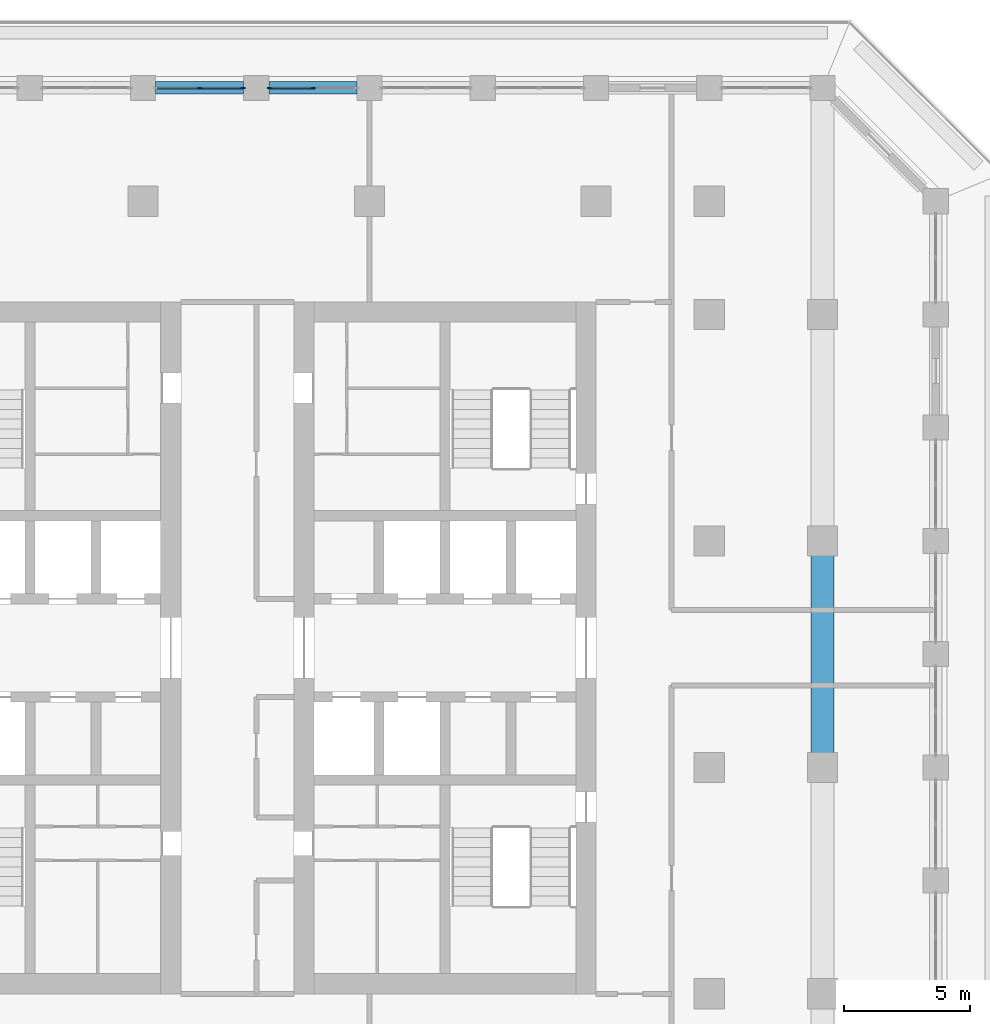
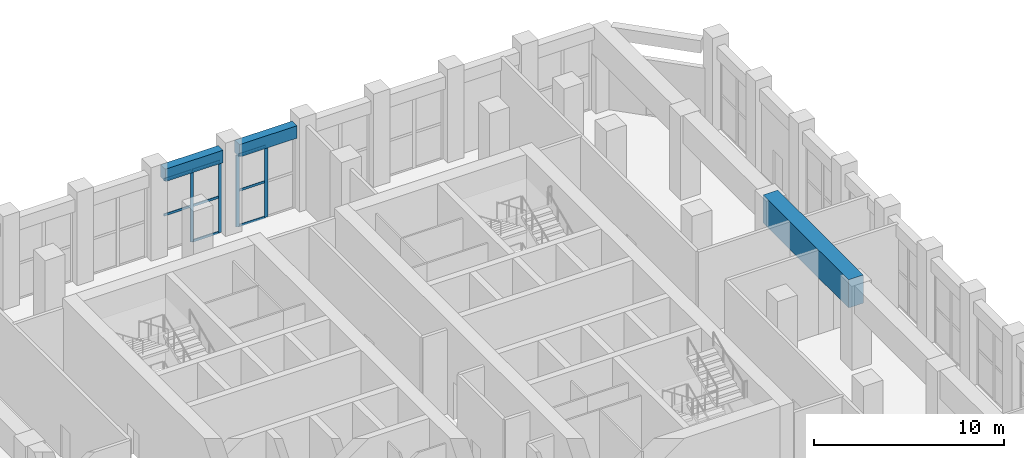
# One storey, part 7 of 25: 12 members, 3 beams, 2 elements without a shape of their own.
"""IFC4 building model written with IfcOpenShell, lengths in metres."""

import ifcopenshell
import ifcopenshell.guid

model = None  # the IFC model being written
_history = None  # IfcOwnerHistory: only IFC2X3 demands one
_inside = {}  # id of a spatial element -> (the spatial element, [elements in it])
_under = {}  # id of a project, library or spatial element -> (it, [spatial elements below it])
_declared = {}  # id of a project -> (the project, [libraries it declares])
_typed = {}  # id of a type object -> (the type object, [elements of that type])
_made_of = {}  # id of a material, layer set ... -> (it, [elements and type objects made of it])


def new_model(schema):
    """Start an empty IFC model of exactly this schema.

    Asked for "IFC4X3", IfcOpenShell would pick the latest addendum, in which some entities
    have other attributes; the version numbers below select the first issue.
    IFC2X3 requires an IfcOwnerHistory on every rooted entity: one is made here for all.
    """
    global model, _history
    if schema == "IFC4X3":
        model = ifcopenshell.file(schema_version=(4, 3, 0, 0))
    else:
        model = ifcopenshell.file(schema=schema)
    _inside.clear()
    _under.clear()
    _declared.clear()
    _typed.clear()
    _made_of.clear()
    _history = None
    if model.schema == "IFC2X3":
        org = make("IfcOrganization", Name="unknown")
        user = make(
            "IfcPersonAndOrganization",
            ThePerson=make("IfcPerson", FamilyName="unknown"),
            TheOrganization=org,
        )
        app = make(
            "IfcApplication",
            ApplicationDeveloper=org,
            Version="unknown",
            ApplicationFullName="unknown",
            ApplicationIdentifier="unknown",
        )
        _history = make(
            "IfcOwnerHistory",
            OwningUser=user,
            OwningApplication=app,
            ChangeAction="ADDED",
            CreationDate=0,
        )
    return model


def make(cls, **values):
    """One entity of the class cls with the attributes given. An attribute that is None is left unset."""
    return model.create_entity(
        cls, **{name: value for name, value in values.items() if value is not None}
    )


def rooted(cls, **values):
    """An entity with a GlobalId (a new one), such as an element, a storey or a relation."""
    return make(cls, GlobalId=ifcopenshell.guid.new(), OwnerHistory=_history, **values)


def si_unit(unit_type, name, prefix=None):
    """IfcSIUnit, for example si_unit("LENGTHUNIT", "METRE", prefix="MILLI")."""
    return make("IfcSIUnit", UnitType=unit_type, Prefix=prefix, Name=name)


def assignment(units):
    """IfcUnitAssignment: the units of a project."""
    return None if units is None else make("IfcUnitAssignment", Units=units)


def point(xyz):
    """IfcCartesianPoint."""
    return None if xyz is None else make("IfcCartesianPoint", Coordinates=xyz)


def direction(xyz):
    """IfcDirection."""
    return None if xyz is None else make("IfcDirection", DirectionRatios=xyz)


def frame(location, z_axis=None, x_axis=None):
    """IfcAxis2Placement3D, a coordinate frame: its origin and axes. An axis left out is left unset."""
    return make(
        "IfcAxis2Placement3D",
        Location=point(location),
        Axis=direction(z_axis),
        RefDirection=direction(x_axis),
    )


def frame_2d(location, x_axis=None):
    """IfcAxis2Placement2D, a coordinate frame in the plane: its origin and x axis."""
    return make(
        "IfcAxis2Placement2D", Location=point(location), RefDirection=direction(x_axis)
    )


def origin():
    """The frame at (0, 0, 0) with its axes left unset."""
    return frame((0.0, 0.0, 0.0))


def origin_2d():
    """The frame at (0, 0) in the plane with its x axis left unset."""
    return frame_2d((0.0, 0.0))


def place(relative_to, where):
    """IfcLocalPlacement: puts the frame where relative to a parent placement (None: the world)."""
    return make(
        "IfcLocalPlacement", PlacementRelTo=relative_to, RelativePlacement=where
    )


def context(
    kind, dimensions, precision=None, world=None, true_north=None, identifier=None
):
    """IfcGeometricRepresentationContext, for example the 3D "Model" context."""
    return make(
        "IfcGeometricRepresentationContext",
        ContextIdentifier=identifier,
        ContextType=kind,
        CoordinateSpaceDimension=dimensions,
        Precision=precision,
        WorldCoordinateSystem=world,
        TrueNorth=true_north,
    )


def subcontext(parent, identifier, kind, view, scale=None):
    """IfcGeometricRepresentationSubContext, for example "Body" below "Model"."""
    return make(
        "IfcGeometricRepresentationSubContext",
        ContextIdentifier=identifier,
        ContextType=kind,
        ParentContext=parent,
        TargetScale=scale,
        TargetView=view,
    )


def project(units=None, contexts=None):
    """IfcProject with its units and contexts."""
    return rooted(
        "IfcProject",
        Name="project",
        RepresentationContexts=contexts,
        UnitsInContext=assignment(units),
    )


def spatial(cls, under=None, at=None, **own):
    """A site, building, storey or space (cls), placed at a placement, below another one or the project."""
    s = rooted(cls, ObjectPlacement=at, **own)
    if under is not None:
        _under.setdefault(under.id(), (under, []))[1].append(s)
    return s


def profile(cls, at=None, kind="AREA", **sizes):
    """A parametric profile (cls). Its sizes go by their IFC names, for example OverallWidth=200.0."""
    return make(cls, ProfileType=kind, Position=at, **sizes)


def rectangle(**sizes):
    """IfcRectangleProfileDef."""
    return profile("IfcRectangleProfileDef", **sizes)


def extrude(swept, where, along, depth):
    """IfcExtrudedAreaSolid: the profile swept, set in the frame where, extruded along a direction by depth."""
    return make(
        "IfcExtrudedAreaSolid",
        SweptArea=swept,
        Position=where,
        ExtrudedDirection=direction(along),
        Depth=depth,
    )


def shape(context_of_items, identifier, shape_type, items):
    """IfcShapeRepresentation: the items that make up one representation, for example the "Body"."""
    return make(
        "IfcShapeRepresentation",
        ContextOfItems=context_of_items,
        RepresentationIdentifier=identifier,
        RepresentationType=shape_type,
        Items=items,
    )


def material(Name=None, Category=None):
    """IfcMaterial."""
    return make("IfcMaterial", Name=Name, Category=Category)


def material_profile(
    of_material, cross_section, Name=None, Category=None, Priority=None
):
    """IfcMaterialProfile: a cross section and its material."""
    return make(
        "IfcMaterialProfile",
        Name=Name,
        Material=of_material,
        Profile=cross_section,
        Priority=Priority,
        Category=Category,
    )


def profile_set(profiles, Name=None, composite=None):
    """IfcMaterialProfileSet."""
    return make(
        "IfcMaterialProfileSet",
        Name=Name,
        MaterialProfiles=profiles,
        CompositeProfile=composite,
    )


def made_of(thing, what):
    """Note that an element or type object is made of a material, layer set ...; save() writes the relation."""
    if what is not None:
        _made_of.setdefault(what.id(), (what, []))[1].append(thing)
    return thing


def type_object(cls, material=None, **own):
    """A type object (cls), such as IfcWallType, which elements share."""
    return made_of(rooted(cls, **own), material)


def element(
    cls,
    number,
    at=None,
    inside=None,
    cuts=None,
    type_object=None,
    material=None,
    context=None,
    identifier="Body",
    shape_type=None,
    held_by="IfcProductDefinitionShape",
    body=None,
    shapes=None,
    **own,
):
    """One element of the class cls, such as IfcWall. Its Tag is "e" and its number.

    at: its placement. inside: the storey or other place that contains it. cuts: it is an
    opening in that element (IfcRelVoidsElement). A single representation is given by context,
    identifier, shape_type and body (its items); several are given by shapes. held_by: the class
    of the entity that holds the representations. save() writes the other relations.
    """
    e = rooted(cls, Tag="e%d" % number, ObjectPlacement=at, **own)
    if body is not None:
        shapes = [shape(context, identifier, shape_type, body)]
    if shapes is not None:
        e.Representation = make(held_by, Representations=shapes)
    if inside is not None:
        _inside.setdefault(inside.id(), (inside, []))[1].append(e)
    if cuts is not None:
        rooted(
            "IfcRelVoidsElement", RelatingBuildingElement=cuts, RelatedOpeningElement=e
        )
    if type_object is not None:
        _typed.setdefault(type_object.id(), (type_object, []))[1].append(e)
    return made_of(e, material)


def aggregate(whole, parts):
    """IfcRelAggregates: a whole, such as a stair, and the parts it consists of."""
    return rooted("IfcRelAggregates", RelatingObject=whole, RelatedObjects=parts)


def save(model, path):
    """Write the relations noted so far, then the file.

    IfcRelAggregates (storeys below a building ...), IfcRelContainedInSpatialStructure (elements
    in a storey), IfcRelDefinesByType, IfcRelAssociatesMaterial and IfcRelDeclares: one each for
    every whole, place, type object, material and project.
    """
    for whole, parts in _under.values():
        aggregate(whole, parts)
    for where, things in _inside.values():
        rooted(
            "IfcRelContainedInSpatialStructure",
            RelatedElements=things,
            RelatingStructure=where,
        )
    for kind, things in _typed.values():
        rooted("IfcRelDefinesByType", RelatedObjects=things, RelatingType=kind)
    for what, things in _made_of.values():
        rooted("IfcRelAssociatesMaterial", RelatedObjects=things, RelatingMaterial=what)
    for by, libraries in _declared.values():
        rooted("IfcRelDeclares", RelatingContext=by, RelatedDefinitions=libraries)
    model.write(path)


model = new_model("IFC4")

# Units and contexts
model_context = context("Model", 3, precision=1e-05, world=origin(), true_north=direction((0.0, 1.0)))
body_context = subcontext(model_context, "Body", "Model", "MODEL_VIEW")
ifc_project = project(units=[si_unit("LENGTHUNIT", "METRE"), si_unit("AREAUNIT", "SQUARE_METRE"), si_unit("VOLUMEUNIT", "CUBIC_METRE"), si_unit("PLANEANGLEUNIT", "RADIAN"), si_unit("MASSUNIT", "GRAM", prefix="KILO")], contexts=[model_context])

# Site, building, storey
site_placement = place(None, origin())
site = spatial("IfcSite", under=ifc_project, at=site_placement, CompositionType="ELEMENT")
building_placement = place(site_placement, origin())
building = spatial("IfcBuilding", under=site, at=building_placement, Name="Corbel Stack Research Tower", CompositionType="ELEMENT")
storey_placement = place(building_placement, frame((0.0, 0.0, 220.199951171875)))
storey = spatial("IfcBuildingStorey", under=building, at=storey_placement, Name="L50", CompositionType="ELEMENT", Elevation=220.199951171875)

# Curtain wall, members
ifc_material_1 = material(Name="Aluminium frame, clear glass", Category="aluminium")
curtain_wall_type = type_object("IfcCurtainWallType", Name="Upper amenity floor curtain wall CW3", PredefinedType="NOTDEFINED", material=ifc_material_1)
curtain_wall_1_placement = place(storey_placement, origin())
curtain_wall_1 = element("IfcCurtainWall", 1, at=curtain_wall_1_placement, inside=storey, type_object=curtain_wall_type, Name="Curtain wall CW3 L50 N05", PredefinedType="NOTDEFINED")
ifc_material_2 = material(Name="Aluminium mullion", Category="aluminium")
ifc_material_profile_1 = material_profile(ifc_material_2, rectangle(XDim=0.06005859375, YDim=0.199951171875, at=origin_2d()), Name="Mullion 60 x 200")
ifc_profile_set_1 = profile_set([ifc_material_profile_1], Name="Aluminium mullion")
member_type_1 = type_object("IfcMemberType", Name="Curtain wall mullion 60 x 200", PredefinedType="MULLION", material=ifc_profile_set_1)
member_1_placement = place(storey_placement, frame((6.75, 27.0, 0.0), z_axis=(0.0, 0.0, 1.0), x_axis=(0.0, -1.0, 0.0)))
member_1 = element("IfcMember", 2, at=member_1_placement, type_object=member_type_1, Name="CW3 mullion 2", PredefinedType="MULLION", context=body_context, shape_type="SweptSolid", body=[
    extrude(rectangle(XDim=0.06005859375, YDim=0.199951171875, at=origin_2d()), origin(), (0.0, 0.0, 1.0), 4.60009765625),
])
member_2_placement = place(storey_placement, frame((5.030029296875, 27.0, 0.0), z_axis=(0.0, 0.0, 1.0), x_axis=(0.0, -1.0, 0.0)))
member_2 = element("IfcMember", 3, at=member_2_placement, type_object=member_type_1, Name="CW3 mullion 3", PredefinedType="MULLION", context=body_context, shape_type="SweptSolid", body=[
    extrude(rectangle(XDim=0.06005859375, YDim=0.199951171875, at=origin_2d()), origin(), (0.0, 0.0, 1.0), 4.60009765625),
])

curtain_wall_2_placement = place(storey_placement, origin())
curtain_wall_2 = element("IfcCurtainWall", 4, at=curtain_wall_2_placement, inside=storey, type_object=curtain_wall_type, Name="Curtain wall CW3 L50 N06", PredefinedType="NOTDEFINED")
member_3_placement = place(storey_placement, frame((3.969970703125, 27.0, 0.0), z_axis=(0.0, 0.0, 1.0), x_axis=(0.0, -1.0, 0.0)))
member_3 = element("IfcMember", 5, at=member_3_placement, type_object=member_type_1, Name="CW3 mullion 1", PredefinedType="MULLION", context=body_context, shape_type="SweptSolid", body=[
    extrude(rectangle(XDim=0.06005859375, YDim=0.199951171875, at=origin_2d()), origin(), (0.0, 0.0, 1.0), 4.60009765625),
])
member_4_placement = place(storey_placement, frame((2.25, 27.0, 0.0), z_axis=(0.0, 0.0, 1.0), x_axis=(0.0, -1.0, 0.0)))
member_4 = element("IfcMember", 6, at=member_4_placement, type_object=member_type_1, Name="CW3 mullion 2", PredefinedType="MULLION", context=body_context, shape_type="SweptSolid", body=[
    extrude(rectangle(XDim=0.06005859375, YDim=0.199951171875, at=origin_2d()), origin(), (0.0, 0.0, 1.0), 4.60009765625),
])

# Member
ifc_material_3 = material(Name="Aluminium transom", Category="aluminium")
ifc_material_profile_2 = material_profile(ifc_material_3, rectangle(XDim=0.06005859375, YDim=0.14990234375, at=origin_2d()), Name="Transom 60 x 150")
ifc_profile_set_2 = profile_set([ifc_material_profile_2], Name="Aluminium transom")
member_type_2 = type_object("IfcMemberType", Name="Curtain wall transom 60 x 150", PredefinedType="USERDEFINED", material=ifc_profile_set_2)
member_5_placement = place(storey_placement, frame((6.719970703125, 27.0, 0.030029296875), z_axis=(-1.0, 0.0, 0.0), x_axis=(0.0, -1.0, 0.0)))
member_5 = element("IfcMember", 7, at=member_5_placement, type_object=member_type_2, Name="CW3 transom 2.1", ObjectType="TRANSOM", PredefinedType="USERDEFINED", context=body_context, shape_type="SweptSolid", body=[
    extrude(rectangle(XDim=0.06005859375, YDim=0.14990234375, at=origin_2d()), origin(), (0.0, 0.0, 1.0), 1.659912109375),
])

member_6_placement = place(storey_placement, frame((6.719970703125, 27.0, 2.300048828125), z_axis=(-1.0, 0.0, 0.0), x_axis=(0.0, -1.0, 0.0)))
member_6 = element("IfcMember", 8, at=member_6_placement, type_object=member_type_2, Name="CW3 transom 2.2", ObjectType="TRANSOM", PredefinedType="USERDEFINED", context=body_context, shape_type="SweptSolid", body=[
    extrude(rectangle(XDim=0.06005859375, YDim=0.14990234375, at=origin_2d()), origin(), (0.0, 0.0, 1.0), 1.659912109375),
])

member_7_placement = place(storey_placement, frame((6.719970703125, 27.0, 4.570068359375), z_axis=(-1.0, 0.0, 0.0), x_axis=(0.0, -1.0, 0.0)))
member_7 = element("IfcMember", 9, at=member_7_placement, type_object=member_type_2, Name="CW3 transom 2.3", ObjectType="TRANSOM", PredefinedType="USERDEFINED", context=body_context, shape_type="SweptSolid", body=[
    extrude(rectangle(XDim=0.06005859375, YDim=0.14990234375, at=origin_2d()), origin(), (0.0, 0.0, 1.0), 1.659912109375),
])

aggregate(curtain_wall_1, [member_1, member_2, member_5, member_6, member_7])

member_8_placement = place(storey_placement, frame((3.93994140625, 27.0, 0.030029296875), z_axis=(-1.0, 0.0, 0.0), x_axis=(0.0, -1.0, 0.0)))
member_8 = element("IfcMember", 10, at=member_8_placement, type_object=member_type_2, Name="CW3 transom 1.1", ObjectType="TRANSOM", PredefinedType="USERDEFINED", context=body_context, shape_type="SweptSolid", body=[
    extrude(rectangle(XDim=0.06005859375, YDim=0.14990234375, at=origin_2d()), origin(), (0.0, 0.0, 1.0), 1.659912109375),
])

member_9_placement = place(storey_placement, frame((3.93994140625, 27.0, 2.300048828125), z_axis=(-1.0, 0.0, 0.0), x_axis=(0.0, -1.0, 0.0)))
member_9 = element("IfcMember", 11, at=member_9_placement, type_object=member_type_2, Name="CW3 transom 1.2", ObjectType="TRANSOM", PredefinedType="USERDEFINED", context=body_context, shape_type="SweptSolid", body=[
    extrude(rectangle(XDim=0.06005859375, YDim=0.14990234375, at=origin_2d()), origin(), (0.0, 0.0, 1.0), 1.659912109375),
])

member_10_placement = place(storey_placement, frame((3.93994140625, 27.0, 4.570068359375), z_axis=(-1.0, 0.0, 0.0), x_axis=(0.0, -1.0, 0.0)))
member_10 = element("IfcMember", 12, at=member_10_placement, type_object=member_type_2, Name="CW3 transom 1.3", ObjectType="TRANSOM", PredefinedType="USERDEFINED", context=body_context, shape_type="SweptSolid", body=[
    extrude(rectangle(XDim=0.06005859375, YDim=0.14990234375, at=origin_2d()), origin(), (0.0, 0.0, 1.0), 1.659912109375),
])

member_11_placement = place(storey_placement, frame((2.219970703125, 27.0, 2.300048828125), z_axis=(-1.0, 0.0, 0.0), x_axis=(0.0, -1.0, 0.0)))
member_11 = element("IfcMember", 13, at=member_11_placement, type_object=member_type_2, Name="CW3 transom 2.2", ObjectType="TRANSOM", PredefinedType="USERDEFINED", context=body_context, shape_type="SweptSolid", body=[
    extrude(rectangle(XDim=0.06005859375, YDim=0.14990234375, at=origin_2d()), origin(), (0.0, 0.0, 1.0), 1.659912109375),
])

member_12_placement = place(storey_placement, frame((2.219970703125, 27.0, 4.570068359375), z_axis=(-1.0, 0.0, 0.0), x_axis=(0.0, -1.0, 0.0)))
member_12 = element("IfcMember", 14, at=member_12_placement, type_object=member_type_2, Name="CW3 transom 2.3", ObjectType="TRANSOM", PredefinedType="USERDEFINED", context=body_context, shape_type="SweptSolid", body=[
    extrude(rectangle(XDim=0.06005859375, YDim=0.14990234375, at=origin_2d()), origin(), (0.0, 0.0, 1.0), 1.659912109375),
])

aggregate(curtain_wall_2, [member_3, member_4, member_8, member_9, member_10, member_11, member_12])

# Beams
ifc_material_4 = material(Name="Concrete C60/75", Category="concrete")
ifc_material_profile_3 = material_profile(ifc_material_4, rectangle(XDim=0.5, YDim=0.800048828125, at=origin_2d()), Name="RC 500 x 800")
ifc_profile_set_3 = profile_set([ifc_material_profile_3], Name="Concrete C60/75")
beam_type_1 = type_object("IfcBeamType", Name="SB-500-800-600", PredefinedType="SPANDREL", material=ifc_profile_set_3)
for number, where, z_axis, x_axis, name in (
    (15, (8.5, 27.0, 5.0), (-1.0, 0.0, 0.0), (0.0, -1.0, 0.0), "Spandrel beam L50-27"),
    (16, (4.0, 27.0, 5.0), (-1.0, 0.0, 0.0), (0.0, -1.0, 0.0), "Spandrel beam L50-28"),
):
    element("IfcBeam", number, at=place(storey_placement, frame(where, z_axis=z_axis, x_axis=x_axis)), inside=storey, type_object=beam_type_1, Name=name, PredefinedType="SPANDREL", context=body_context, shape_type="SweptSolid", body=[
        extrude(rectangle(XDim=0.5, YDim=0.800048828125, at=origin_2d()), origin(), (0.0, 0.0, 1.0), 3.5),
    ])
ifc_material_5 = material(Name="Concrete C60/75", Category="concrete")
ifc_material_profile_4 = material_profile(ifc_material_5, rectangle(XDim=0.89990234375, YDim=1.800048828125, at=origin_2d()), Name="RC 900 x 1800")
ifc_profile_set_4 = profile_set([ifc_material_profile_4], Name="Concrete C60/75")
beam_type_2 = type_object("IfcBeamType", Name="TG-900-1800", PredefinedType="BEAM", material=ifc_profile_set_4)
beam_placement = place(storey_placement, frame((27.0, 0.0, 4.5), z_axis=(0.0, 1.0, 0.0), x_axis=(-1.0, 0.0, 0.0)))
element("IfcBeam", 17, at=beam_placement, inside=storey, type_object=beam_type_2, Name="Transfer girder along the step L50 El0", PredefinedType="BEAM", context=body_context, shape_type="SweptSolid", body=[
    extrude(rectangle(XDim=0.89990234375, YDim=1.800048828125, at=origin_2d()), origin(), (0.0, 0.0, 1.0), 9.0),
])

save(model, "model.ifc")
